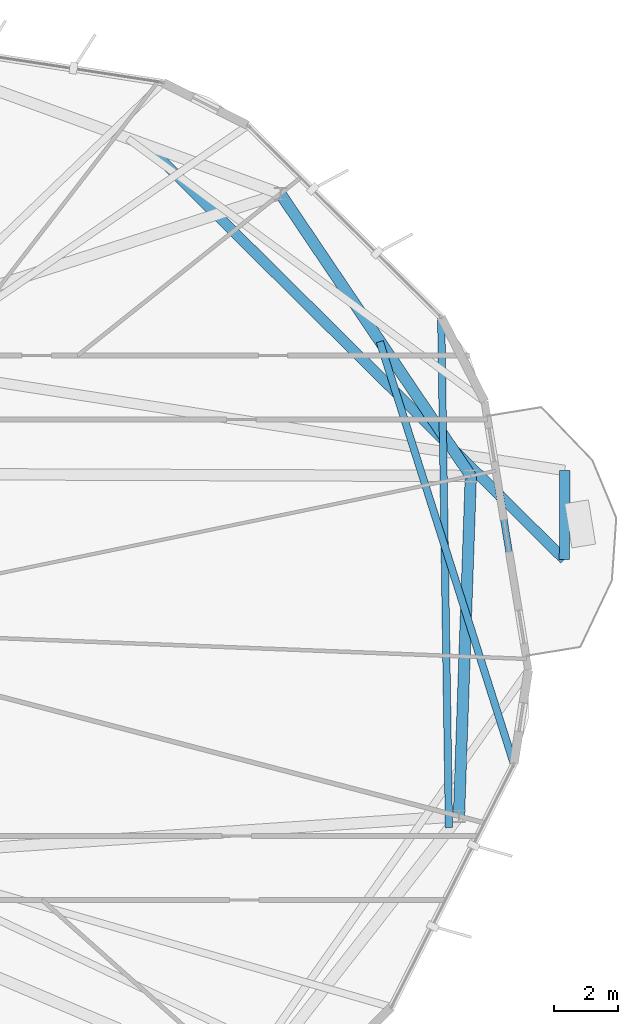
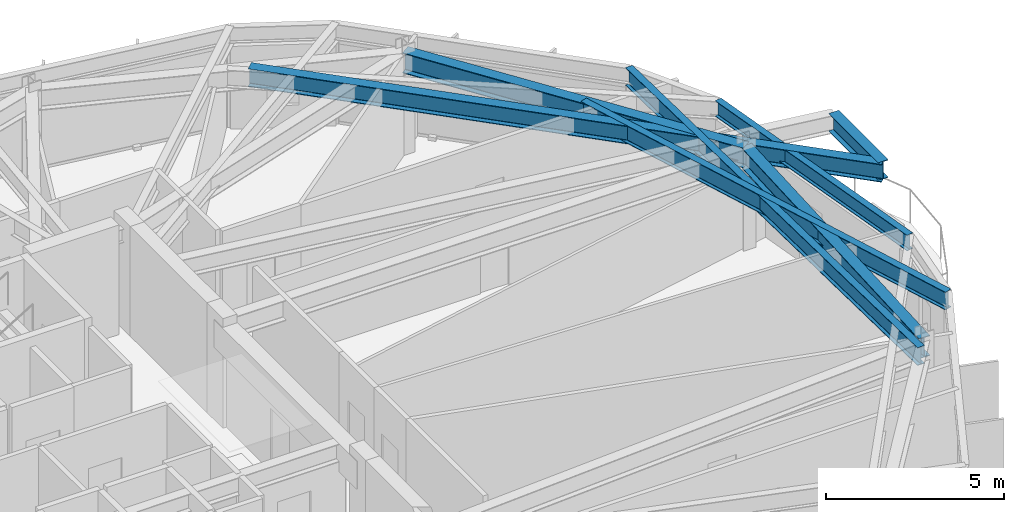
# One storey, part 10 of 22: 7 beams.
"""IFC4 building model written with IfcOpenShell, lengths in metres."""

from ifc_helpers import new_model, si_unit, direction, frame, origin, origin_2d, place, context, subcontext, project, spatial, i_section, extrude, material, material_profile, profile_set, type_object, element, save


model = new_model("IFC4")

# Units and contexts
model_context = context("Model", 3, precision=1e-05, world=origin(), true_north=direction((0.0, 1.0)))
body_context = subcontext(model_context, "Body", "Model", "MODEL_VIEW")
ifc_project = project(units=[si_unit("LENGTHUNIT", "METRE"), si_unit("AREAUNIT", "SQUARE_METRE"), si_unit("VOLUMEUNIT", "CUBIC_METRE"), si_unit("PLANEANGLEUNIT", "RADIAN"), si_unit("MASSUNIT", "GRAM", prefix="KILO")], contexts=[model_context])

# Site, building, storey
site_placement = place(None, origin())
site = spatial("IfcSite", under=ifc_project, at=site_placement, CompositionType="ELEMENT")
building_placement = place(site_placement, origin())
building = spatial("IfcBuilding", under=site, at=building_placement, Name="Soratama Intermodal Tower", CompositionType="ELEMENT")
storey_placement = place(building_placement, frame((0.0, 0.0, 265.0)))
storey = spatial("IfcBuildingStorey", under=building, at=storey_placement, Name="L67", CompositionType="ELEMENT", Elevation=265.0)

# Beams
ifc_material_1 = material(Name="Structural steel ASTM A992 Grade 50", Category="steel")
ifc_material_profile_1 = material_profile(ifc_material_1, i_section(OverallWidth=0.324951171875, OverallDepth=0.615966796875, WebThickness=0.013916015625, FlangeThickness=0.021484375, FilletRadius=0.013916015625, at=origin_2d()), Name="W24X117")
ifc_profile_set_1 = profile_set([ifc_material_profile_1], Name="Structural steel ASTM A992 Grade 50")
beam_type_1 = type_object("IfcBeamType", Name="BM-CANT-W24X117", PredefinedType="BEAM", material=ifc_profile_set_1)
beam_1_placement = place(storey_placement, frame((64.45703125, 27.132080078125, 3.14208984375), z_axis=(0.003247021058, 0.999994728413, 0.0), x_axis=(-0.999994728413, 0.003247021058, 0.0)))
element("IfcBeam", 1, at=beam_1_placement, inside=storey, type_object=beam_type_1, Name="BM-L67-CBHDR-1", PredefinedType="BEAM", context=body_context, shape_type="SweptSolid", body=[
    extrude(i_section(OverallWidth=0.324951171875, OverallDepth=0.615966796875, WebThickness=0.013916015625, FlangeThickness=0.021484375, FilletRadius=0.013916015625, at=origin_2d()), origin(), (0.0, 0.0, 1.0), 2.781982421875),
])
beam_2_placement = place(storey_placement, frame((51.4208984375, 40.052978515625, 3.14208984375), z_axis=(0.710238932085, -0.703960694465, 0.0), x_axis=(0.703960694465, 0.710238932085, 0.0)))
element("IfcBeam", 2, at=beam_2_placement, inside=storey, type_object=beam_type_1, Name="BM-L67-CANT-1-1", PredefinedType="BEAM", context=body_context, shape_type="SweptSolid", body=[
    extrude(i_section(OverallWidth=0.324951171875, OverallDepth=0.615966796875, WebThickness=0.013916015625, FlangeThickness=0.021484375, FilletRadius=0.013916015625, at=origin_2d()), origin(), (0.0, 0.0, 1.0), 18.3544921875),
])
ifc_material_2 = material(Name="Structural steel ASTM A992 Grade 50", Category="steel")
ifc_material_profile_2 = material_profile(ifc_material_2, i_section(OverallWidth=0.35498046875, OverallDepth=0.695068359375, WebThickness=0.015380859375, FlangeThickness=0.02490234375, FilletRadius=0.01611328125, at=origin_2d()), Name="W27X146")
ifc_profile_set_2 = profile_set([ifc_material_profile_2], Name="Structural steel ASTM A992 Grade 50")
beam_type_2 = type_object("IfcBeamType", Name="BM-RING-W27X146", PredefinedType="BEAM", material=ifc_profile_set_2)
for number, where, z_axis, x_axis, name in (
    (3, (61.533935546875, 29.740966796875, 3.1025390625), (-0.559218025165, 0.829020627204, 0.0), (-0.829020627204, -0.559218025165, 0.0), "BM-L67-RING-01"),
    (4, (61.1630859375, 19.116943359375, 3.1025390625), (0.034885453879, 0.999391317307, 0.0), (-0.999391317307, 0.034885453879, 0.0), "BM-L67-RING-10"),
):
    element("IfcBeam", number, at=place(storey_placement, frame(where, z_axis=z_axis, x_axis=x_axis)), inside=storey, type_object=beam_type_2, Name=name, PredefinedType="BEAM", context=body_context, shape_type="SweptSolid", body=[
        extrude(i_section(OverallWidth=0.35498046875, OverallDepth=0.695068359375, WebThickness=0.015380859375, FlangeThickness=0.02490234375, FilletRadius=0.01611328125, at=origin_2d()), origin(), (0.0, 0.0, 1.0), 10.630615234375),
    ])
ifc_material_3 = material(Name="Structural steel ASTM A992 Grade 50", Category="steel")
ifc_material_profile_3 = material_profile(ifc_material_3, i_section(OverallWidth=0.2099609375, OverallDepth=0.537109375, WebThickness=0.010986328125, FlangeThickness=0.017333984375, FilletRadius=0.012939453125, at=origin_2d()), Name="W21X68")
ifc_profile_set_3 = profile_set([ifc_material_profile_3], Name="Structural steel ASTM A992 Grade 50")
beam_type_3 = type_object("IfcBeamType", Name="BM-SPN-W21X68", PredefinedType="SPANDREL", material=ifc_profile_set_3)
beam_3_placement = place(storey_placement, frame((63.330078125, 23.676025390625, 3.181396484375), z_axis=(-0.160583201539, 0.98702230744, 0.0), x_axis=(-0.98702230744, -0.160583201539, 0.0)))
element("IfcBeam", 5, at=beam_3_placement, inside=storey, type_object=beam_type_3, Name="BS-L67-F09", PredefinedType="SPANDREL", context=body_context, shape_type="SweptSolid", body=[
    extrude(i_section(OverallWidth=0.2099609375, OverallDepth=0.537109375, WebThickness=0.010986328125, FlangeThickness=0.017333984375, FilletRadius=0.012939453125, at=origin_2d()), origin(), (0.0, 0.0, 1.0), 8.500244140625),
])
ifc_material_4 = material(Name="Structural steel ASTM A992 Grade 50", Category="steel")
ifc_material_profile_4 = material_profile(ifc_material_4, i_section(OverallWidth=0.22900390625, OverallDepth=0.612060546875, WebThickness=0.011962890625, FlangeThickness=0.01953125, FilletRadius=0.012939453125, at=origin_2d()), Name="W24X84")
ifc_profile_set_4 = profile_set([ifc_material_profile_4], Name="Structural steel ASTM A992 Grade 50")
beam_type_4 = type_object("IfcBeamType", Name="BM-TIE-W24X84", PredefinedType="BEAM", material=ifc_profile_set_4)
beam_4_placement = place(storey_placement, frame((58.69189453125, 33.93408203125, 3.14404296875), z_axis=(0.302556237216, -0.953131535163, 0.0), x_axis=(0.953131535163, 0.302556237216, 0.0)))
element("IfcBeam", 6, at=beam_4_placement, inside=storey, type_object=beam_type_4, Name="BM-L67-TIE1-08", PredefinedType="BEAM", context=body_context, shape_type="SweptSolid", body=[
    extrude(i_section(OverallWidth=0.22900390625, OverallDepth=0.612060546875, WebThickness=0.011962890625, FlangeThickness=0.01953125, FilletRadius=0.012939453125, at=origin_2d()), origin(), (0.0, 0.0, 1.0), 13.8388671875),
])
beam_5_placement = place(storey_placement, frame((60.85009765625, 18.757080078125, 3.14404296875), z_axis=(-0.015186416424, 0.999884679729, 0.0), x_axis=(-0.999884679729, -0.015186416424, 0.0)))
element("IfcBeam", 7, at=beam_5_placement, inside=storey, type_object=beam_type_4, Name="BM-L67-TIE0-10", PredefinedType="BEAM", context=body_context, shape_type="SweptSolid", body=[
    extrude(i_section(OverallWidth=0.22900390625, OverallDepth=0.612060546875, WebThickness=0.011962890625, FlangeThickness=0.01953125, FilletRadius=0.012939453125, at=origin_2d()), origin(), (0.0, 0.0, 1.0), 15.94775390625),
])

save(model, "model.ifc")
